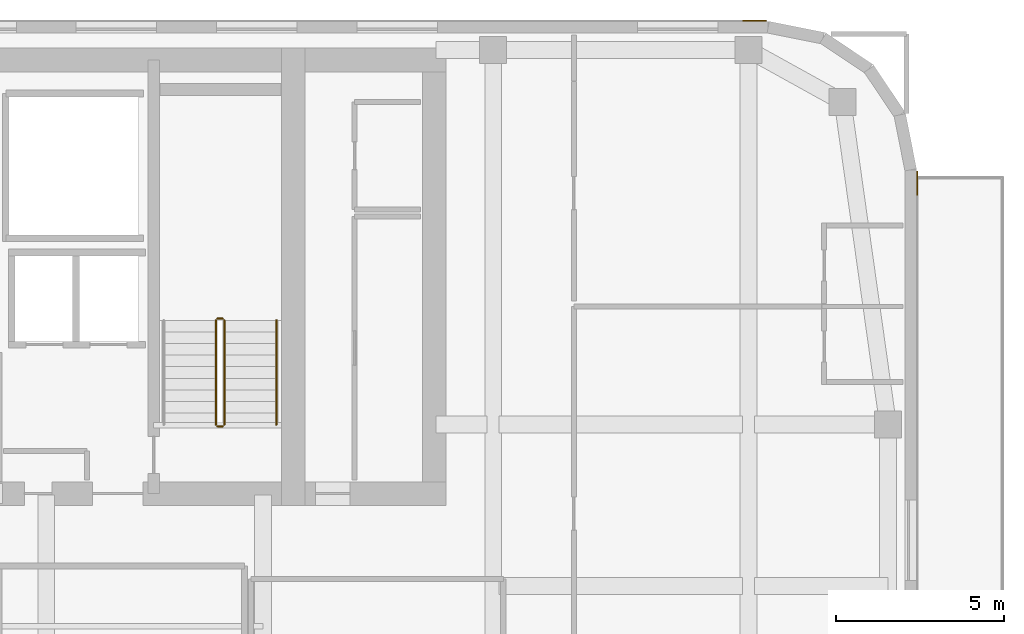
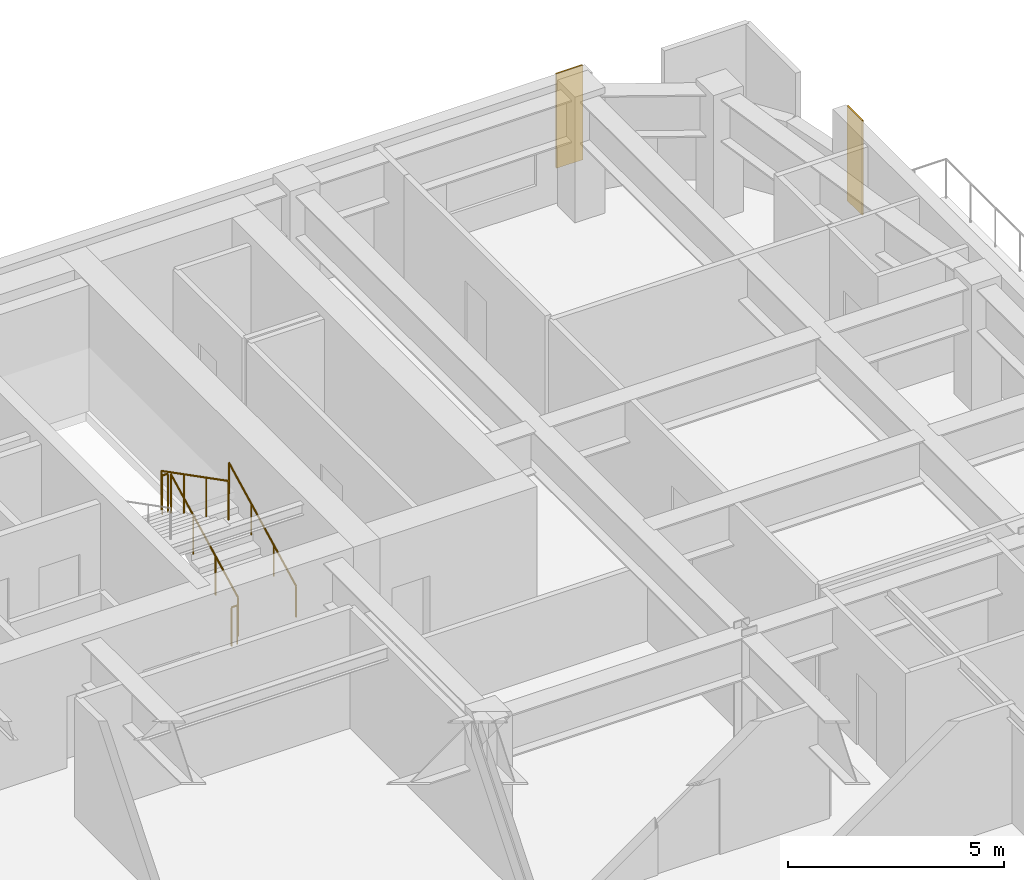
# One storey, part 20 of 20: 5 railings, 2 coverings.
"""IFC4 building model written with IfcOpenShell, lengths in metres."""

from ifc_helpers import new_model, si_unit, direction, frame, origin, origin_2d, place, context, subcontext, project, spatial, polyline, circle, outline, extrude, material, layer, layer_set, type_object, element, save


model = new_model("IFC4")

# Units and contexts
model_context = context("Model", 3, precision=1e-05, world=origin(), true_north=direction((0.0, 1.0)))
body_context = subcontext(model_context, "Body", "Model", "MODEL_VIEW")
ifc_project = project(units=[si_unit("LENGTHUNIT", "METRE"), si_unit("AREAUNIT", "SQUARE_METRE"), si_unit("VOLUMEUNIT", "CUBIC_METRE"), si_unit("PLANEANGLEUNIT", "RADIAN"), si_unit("MASSUNIT", "GRAM", prefix="KILO")], contexts=[model_context])

# Site, building, storey
site_placement = place(None, origin())
site = spatial("IfcSite", under=ifc_project, at=site_placement, CompositionType="ELEMENT")
building_placement = place(site_placement, origin())
building = spatial("IfcBuilding", under=site, at=building_placement, Name="Tolvann Quenvar Hotel", CompositionType="ELEMENT")
storey_placement = place(building_placement, frame((0.0, 0.0, 147.050048828125)))
storey = spatial("IfcBuildingStorey", under=building, at=storey_placement, Name="L38", CompositionType="ELEMENT", Elevation=147.050048828125)

# Coverings
ifc_material_1 = material(Name="Kiln-fired red architectural face brick cladding", Category="masonry")
ifc_layer = layer(ifc_material_1, 0.0400390625)
ifc_layer_set = layer_set([ifc_layer], Name="Kiln-fired red architectural face brick cladding")
covering_type = type_object("IfcCoveringType", Name="COV_CLAD_BRICK_40", PredefinedType="CLADDING", material=ifc_layer_set)
covering_1_placement = place(storey_placement, frame((0.0, 0.0, 0.699951171875)))
element("IfcCovering", 1, at=covering_1_placement, inside=storey, type_object=covering_type, Name="Brick Pier Cladding (L38-E13-P2)", PredefinedType="CLADDING", context=body_context, shape_type="SweptSolid", body=[
    extrude(outline(polyline([(54.39990234375, 40.832763671875), (54.39990234375, 41.53271484375), (54.43994140625, 41.53271484375), (54.43994140625, 40.832763671875), (54.39990234375, 40.832763671875)])), origin(), (0.0, 0.0, 1.0), 2.669921875),
])
covering_2_placement = place(storey_placement, frame((0.0, 0.0, 0.699951171875)))
element("IfcCovering", 2, at=covering_2_placement, inside=storey, type_object=covering_type, Name="Brick Pier Cladding (L38-E18-P1)", PredefinedType="CLADDING", context=body_context, shape_type="SweptSolid", body=[
    extrude(outline(polyline([(49.932861328125, 46.0), (49.23291015625, 46.0), (49.23291015625, 46.0400390625), (49.932861328125, 46.0400390625), (49.932861328125, 46.0)])), origin(), (0.0, 0.0, 1.0), 2.669921875),
])

# Railings
ifc_material_2 = material(Name="Brushed 316 stainless steel balustrade and handrail", Category="steel")
railing_type_1 = type_object("IfcRailingType", Name="GUARDRAIL", PredefinedType="GUARDRAIL", material=ifc_material_2)
railing_1_placement = place(storey_placement, frame((33.800048828125, 34.0, 0.177490234375)))
element("IfcRailing", 3, at=railing_1_placement, inside=storey, type_object=railing_type_1, Name="L38 ST-C2 stair guard 1", PredefinedType="GUARDRAIL", context=body_context, shape_type="SweptSolid", body=[
    extrude(circle(Radius=0.02392578125, at=origin_2d()), frame((0.0, 0.0, 1.09619140625), z_axis=(0.0, 0.889221982265, 0.45747597342), x_axis=(-1.0, 0.0, 0.0)), (0.0, 0.0, 1.0), 3.49169921875),
    extrude(circle(Radius=0.02099609375, at=origin_2d()), origin(), (0.0, 0.0, 1.0), 1.072021484375),
    extrude(circle(Radius=0.02099609375, at=origin_2d()), frame((0.0, 1.034912109375, 0.532470703125)), (0.0, 0.0, 1.0), 1.072021484375),
    extrude(circle(Radius=0.02099609375, at=origin_2d()), frame((0.0, 2.070068359375, 1.06494140625)), (0.0, 0.0, 1.0), 1.072021484375),
    extrude(circle(Radius=0.02099609375, at=origin_2d()), frame((0.0, 3.10498046875, 1.597412109375)), (0.0, 0.0, 1.0), 1.072021484375),
])
railing_2_placement = place(storey_placement, frame((33.75, 37.155029296875, 1.77490234375)))
element("IfcRailing", 4, at=railing_2_placement, inside=storey, type_object=railing_type_1, Name="L38 ST-C2 stair guard 2", PredefinedType="GUARDRAIL", context=body_context, shape_type="SweptSolid", body=[
    extrude(circle(Radius=0.02392578125, at=origin_2d()), frame((0.0, 0.0, 1.09619140625), z_axis=(-1.0, 0.0, 0.0), x_axis=(0.0, -1.0, 0.0)), (0.0, 0.0, 1.0), 0.14990234375),
    extrude(circle(Radius=0.02099609375, at=origin_2d()), origin(), (0.0, 0.0, 1.0), 1.072021484375),
    extrude(circle(Radius=0.02099609375, at=origin_2d()), frame((-0.14990234375, 0.0, 0.0)), (0.0, 0.0, 1.0), 1.072021484375),
])
railing_3_placement = place(storey_placement, frame((33.550048828125, 37.10498046875, 1.952392578125)))
element("IfcRailing", 5, at=railing_3_placement, inside=storey, type_object=railing_type_1, Name="L38 ST-C2 stair guard 3", PredefinedType="GUARDRAIL", context=body_context, shape_type="SweptSolid", body=[
    extrude(circle(Radius=0.02392578125, at=origin_2d()), frame((0.0, 0.0, 1.09619140625), z_axis=(0.0, -0.88919353882, 0.457531256332), x_axis=(1.0, 0.0, 0.0)), (0.0, 0.0, 1.0), 3.491943359375),
    extrude(circle(Radius=0.02099609375, at=origin_2d()), origin(), (0.0, 0.0, 1.0), 1.072021484375),
    extrude(circle(Radius=0.02099609375, at=origin_2d()), frame((0.0, -1.034912109375, 0.532470703125)), (0.0, 0.0, 1.0), 1.072021484375),
    extrude(circle(Radius=0.02099609375, at=origin_2d()), frame((0.0, -2.070068359375, 1.065185546875)), (0.0, 0.0, 1.0), 1.072021484375),
    extrude(circle(Radius=0.02099609375, at=origin_2d()), frame((0.0, -3.10498046875, 1.59765625)), (0.0, 0.0, 1.0), 1.072021484375),
])
railing_4_placement = place(storey_placement, frame((33.75, 33.949951171875, 0.0)))
element("IfcRailing", 6, at=railing_4_placement, inside=storey, type_object=railing_type_1, Name="L38 ST-C2 stair guard 4", PredefinedType="GUARDRAIL", context=body_context, shape_type="SweptSolid", body=[
    extrude(circle(Radius=0.02392578125, at=origin_2d()), frame((0.0, 0.0, 1.09619140625), z_axis=(-1.0, 0.0, 0.0), x_axis=(0.0, -1.0, 0.0)), (0.0, 0.0, 1.0), 0.14990234375),
    extrude(circle(Radius=0.02099609375, at=origin_2d()), origin(), (0.0, 0.0, 1.0), 1.072021484375),
    extrude(circle(Radius=0.02099609375, at=origin_2d()), frame((-0.14990234375, 0.0, 0.0)), (0.0, 0.0, 1.0), 1.072021484375),
])
railing_type_2 = type_object("IfcRailingType", Name="HANDRAIL", PredefinedType="HANDRAIL", material=ifc_material_2)
railing_5_placement = place(storey_placement, frame((35.35009765625, 34.0, 0.177490234375)))
element("IfcRailing", 7, at=railing_5_placement, inside=storey, type_object=railing_type_2, Name="L38 ST-C2 stair handrail 1", PredefinedType="HANDRAIL", context=body_context, shape_type="SweptSolid", body=[
    extrude(circle(Radius=0.02392578125, at=origin_2d()), frame((0.0, 0.0, 0.8759765625), z_axis=(0.0, 0.889221982265, 0.45747597342), x_axis=(-1.0, 0.0, 0.0)), (0.0, 0.0, 1.0), 3.49169921875),
    extrude(circle(Radius=0.02099609375, at=origin_2d()), origin(), (0.0, 0.0, 1.0), 0.851806640625),
    extrude(circle(Radius=0.02099609375, at=origin_2d()), frame((0.0, 1.034912109375, 0.532470703125)), (0.0, 0.0, 1.0), 0.851806640625),
    extrude(circle(Radius=0.02099609375, at=origin_2d()), frame((0.0, 2.070068359375, 1.06494140625)), (0.0, 0.0, 1.0), 0.851806640625),
    extrude(circle(Radius=0.02099609375, at=origin_2d()), frame((0.0, 3.10498046875, 1.597412109375)), (0.0, 0.0, 1.0), 0.851806640625),
])

save(model, "model.ifc")
